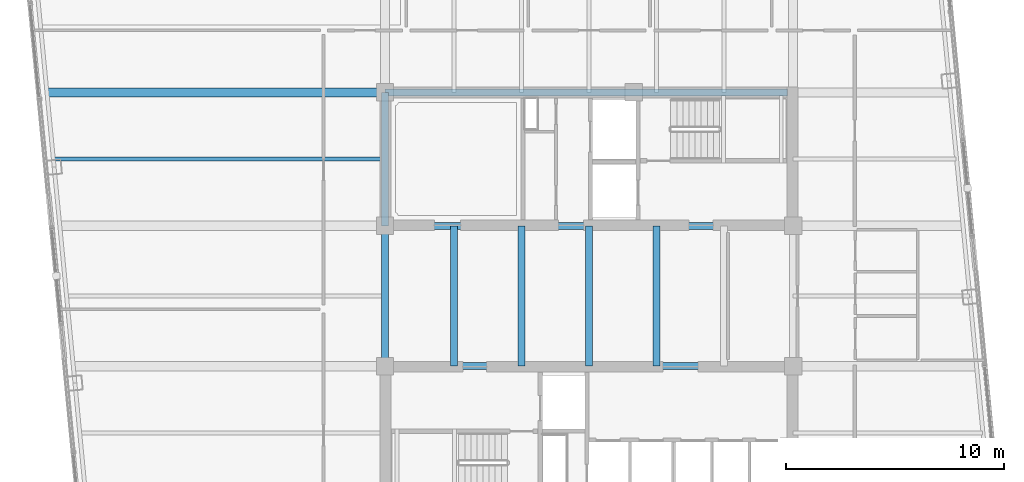
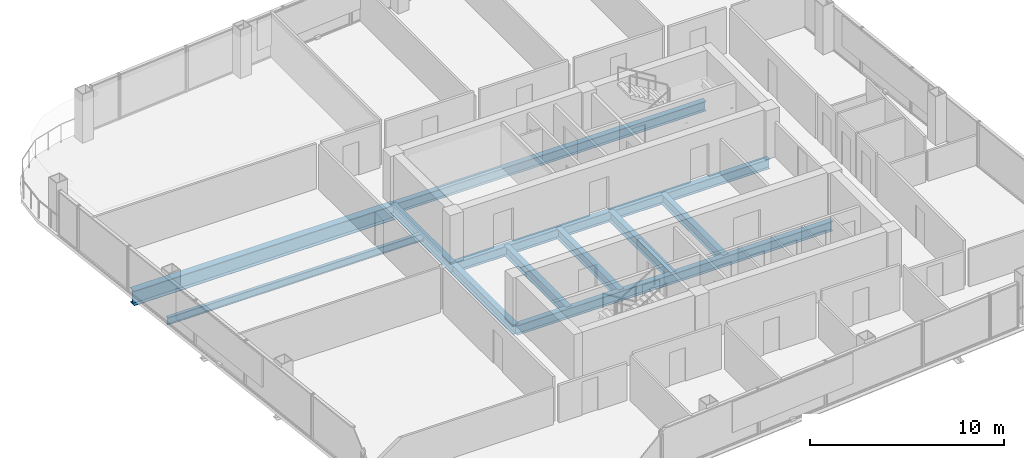
# One storey, part 8 of 22: 11 beams.
"""IFC4 building model written with IfcOpenShell, lengths in metres."""

from ifc_helpers import new_model, si_unit, direction, frame, origin, origin_2d, place, context, subcontext, project, spatial, i_section, extrude, material, material_profile, profile_set, type_object, element, save


model = new_model("IFC4")

# Units and contexts
model_context = context("Model", 3, precision=1e-05, world=origin(), true_north=direction((0.0, 1.0)))
body_context = subcontext(model_context, "Body", "Model", "MODEL_VIEW")
ifc_project = project(units=[si_unit("LENGTHUNIT", "METRE"), si_unit("AREAUNIT", "SQUARE_METRE"), si_unit("VOLUMEUNIT", "CUBIC_METRE"), si_unit("PLANEANGLEUNIT", "RADIAN"), si_unit("MASSUNIT", "GRAM", prefix="KILO")], contexts=[model_context])

# Site, building, storey
site_placement = place(None, origin())
site = spatial("IfcSite", under=ifc_project, at=site_placement, CompositionType="ELEMENT")
building_placement = place(site_placement, origin())
building = spatial("IfcBuilding", under=site, at=building_placement, Name="Qhalaya Broadcast Tower", CompositionType="ELEMENT")
storey_placement = place(building_placement, frame((0.0, 0.0, 171.39990234375)))
storey = spatial("IfcBuildingStorey", under=building, at=storey_placement, Name="L50", CompositionType="ELEMENT", Elevation=171.39990234375)

# Beams
ifc_material = material(Name="Structural Steel ASTM A992 Grade 50", Category="steel")
ifc_material_profile_1 = material_profile(ifc_material, i_section(OverallWidth=0.19189453125, OverallDepth=0.462890625, WebThickness=0.010498046875, FlangeThickness=0.017578125, at=origin_2d()), Name="W18X60")
ifc_profile_set_1 = profile_set([ifc_material_profile_1], Name="Structural Steel ASTM A992 Grade 50")
beam_type_1 = type_object("IfcBeamType", Name="Composite Floor Joist J03", PredefinedType="JOIST", material=ifc_profile_set_1)
beam_1_placement = place(storey_placement, frame((-24.589111328125, 6.89990234375, -0.451416015625), z_axis=(1.0, 0.0, 0.0), x_axis=(0.0, 1.0, 0.0)))
element("IfcBeam", 1, at=beam_1_placement, inside=storey, type_object=beam_type_1, Name="L50 J03 L50-JWE5W-1", PredefinedType="JOIST", context=body_context, shape_type="SweptSolid", body=[
    extrude(i_section(OverallWidth=0.19189453125, OverallDepth=0.462890625, WebThickness=0.010498046875, FlangeThickness=0.017578125, at=origin_2d()), origin(), (0.0, 0.0, 1.0), 15.214111328125),
])
ifc_material_profile_2 = material_profile(ifc_material, i_section(OverallWidth=0.323974609375, OverallDepth=0.612060546875, WebThickness=0.0126953125, FlangeThickness=0.01904296875, at=origin_2d()), Name="W24X104")
ifc_profile_set_2 = profile_set([ifc_material_profile_2], Name="Structural Steel ASTM A992 Grade 50")
beam_type_2 = type_object("IfcBeamType", Name="Core Frame Tie Beam B04", PredefinedType="BEAM", material=ifc_profile_set_2)
beam_2_placement = place(storey_placement, frame((-9.375, 3.824951171875, -0.52587890625), z_axis=(1.0, 0.0, 0.0), x_axis=(0.0, 1.0, 0.0)))
element("IfcBeam", 2, at=beam_2_placement, inside=storey, type_object=beam_type_2, Name="L50 B04 L50-CCN1", PredefinedType="BEAM", context=body_context, shape_type="SweptSolid", body=[
    extrude(i_section(OverallWidth=0.323974609375, OverallDepth=0.612060546875, WebThickness=0.0126953125, FlangeThickness=0.01904296875, at=origin_2d()), origin(), (0.0, 0.0, 1.0), 18.75),
])
beam_3_placement = place(storey_placement, frame((-9.375, 3.824951171875, -0.52587890625), z_axis=(0.0, 1.0, 0.0), x_axis=(-1.0, 0.0, 0.0)))
element("IfcBeam", 3, at=beam_3_placement, inside=storey, type_object=beam_type_2, Name="L50 B04 L50-CCN2", PredefinedType="BEAM", context=body_context, shape_type="SweptSolid", body=[
    extrude(i_section(OverallWidth=0.323974609375, OverallDepth=0.612060546875, WebThickness=0.0126953125, FlangeThickness=0.01904296875, at=origin_2d()), origin(), (0.0, 0.0, 1.0), 6.125),
])
beam_4_placement = place(storey_placement, frame((-9.375, 9.949951171875, -0.52587890625), z_axis=(1.0, 0.0, 0.0), x_axis=(0.0, 1.0, 0.0)))
element("IfcBeam", 4, at=beam_4_placement, inside=storey, type_object=beam_type_2, Name="L50 B04 L50-CCN3", PredefinedType="BEAM", context=body_context, shape_type="SweptSolid", body=[
    extrude(i_section(OverallWidth=0.323974609375, OverallDepth=0.612060546875, WebThickness=0.0126953125, FlangeThickness=0.01904296875, at=origin_2d()), origin(), (0.0, 0.0, 1.0), 18.4951171875),
])
beam_5_placement = place(storey_placement, frame((-9.375, -2.625, -0.52587890625), z_axis=(1.0, 0.0, 0.0), x_axis=(0.0, 1.0, 0.0)))
element("IfcBeam", 5, at=beam_5_placement, inside=storey, type_object=beam_type_2, Name="L50 B04 L50-CCS1", PredefinedType="BEAM", context=body_context, shape_type="SweptSolid", body=[
    extrude(i_section(OverallWidth=0.323974609375, OverallDepth=0.612060546875, WebThickness=0.0126953125, FlangeThickness=0.01904296875, at=origin_2d()), origin(), (0.0, 0.0, 1.0), 18.75),
])
for number, where, z_axis, x_axis, name in (
    (6, (-9.375, -2.625, -0.52587890625), (0.0, 1.0, 0.0), (-1.0, 0.0, 0.0), "L50 B04 L50-CCW"),
    (7, (-6.199951171875, -2.625, -0.52587890625), (0.0, 1.0, 0.0), (-1.0, 0.0, 0.0), "L50 B04 L50-JC1-1"),
    (8, (-3.10009765625, -2.625, -0.52587890625), (0.0, 1.0, 0.0), (-1.0, 0.0, 0.0), "L50 B04 L50-JC2-1"),
    (9, (0.0, -2.625, -0.52587890625), (0.0, 1.0, 0.0), (-1.0, 0.0, 0.0), "L50 B04 L50-JC3-1"),
    (10, (3.10009765625, -2.625, -0.52587890625), (0.0, 1.0, 0.0), (-1.0, 0.0, 0.0), "L50 B04 L50-JC4-1"),
):
    element("IfcBeam", number, at=place(storey_placement, frame(where, z_axis=z_axis, x_axis=x_axis)), inside=storey, type_object=beam_type_2, Name=name, PredefinedType="BEAM", context=body_context, shape_type="SweptSolid", body=[
        extrude(i_section(OverallWidth=0.323974609375, OverallDepth=0.612060546875, WebThickness=0.0126953125, FlangeThickness=0.01904296875, at=origin_2d()), origin(), (0.0, 0.0, 1.0), 6.449951171875),
    ])
ifc_material_profile_3 = material_profile(ifc_material, i_section(OverallWidth=0.4189453125, OverallDepth=0.927001953125, WebThickness=0.019287109375, FlangeThickness=0.031982421875, at=origin_2d()), Name="W36X231")
ifc_profile_set_3 = profile_set([ifc_material_profile_3], Name="Structural Steel ASTM A992 Grade 50")
beam_type_3 = type_object("IfcBeamType", Name="Mid Block Primary Girder PG3", PredefinedType="USERDEFINED", material=ifc_profile_set_3)
beam_6_placement = place(storey_placement, frame((-24.882568359375, 9.949951171875, -0.683349609375), z_axis=(1.0, 0.0, 0.0), x_axis=(0.0, 1.0, 0.0)))
element("IfcBeam", 11, at=beam_6_placement, inside=storey, type_object=beam_type_3, Name="L50 PG3 L50-PGYW4-1", ObjectType="GIRDER", PredefinedType="USERDEFINED", context=body_context, shape_type="SweptSolid", body=[
    extrude(i_section(OverallWidth=0.4189453125, OverallDepth=0.927001953125, WebThickness=0.019287109375, FlangeThickness=0.031982421875, at=origin_2d()), origin(), (0.0, 0.0, 1.0), 15.507568359375),
])

save(model, "model.ifc")
